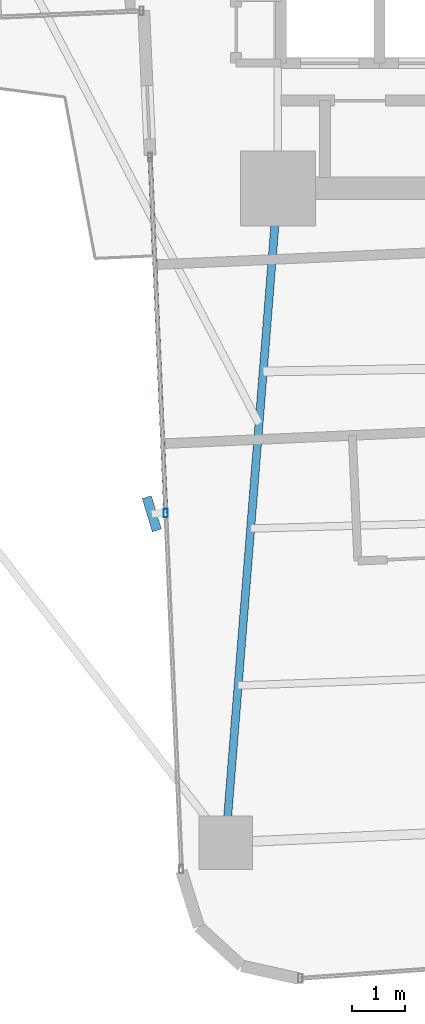
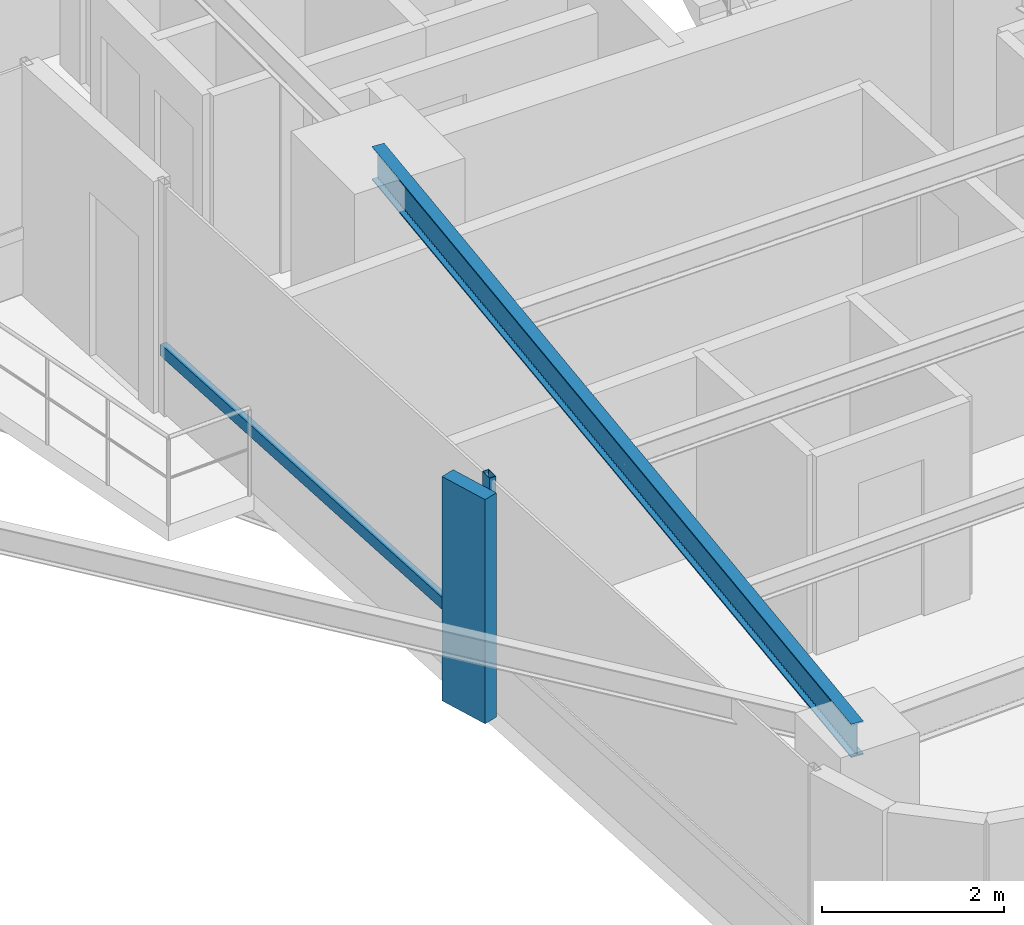
# One storey, part 4 of 26: 3 members, 1 beam, 1 element without a shape of its own.
"""IFC4 building model written with IfcOpenShell, lengths in metres."""

from ifc_helpers import new_model, si_unit, direction, frame, origin, origin_2d, place, context, subcontext, project, spatial, rectangle, hollow_rectangle, i_section, extrude, source, transform, mapped, material, material_profile, profile_set, type_object, element, aggregate, save


model = new_model("IFC4")

# Units and contexts
model_context = context("Model", 3, precision=1e-05, world=origin(), true_north=direction((0.0, 1.0)))
body_context = subcontext(model_context, "Body", "Model", "MODEL_VIEW")
ifc_project = project(units=[si_unit("LENGTHUNIT", "METRE"), si_unit("AREAUNIT", "SQUARE_METRE"), si_unit("VOLUMEUNIT", "CUBIC_METRE"), si_unit("PLANEANGLEUNIT", "RADIAN"), si_unit("MASSUNIT", "GRAM", prefix="KILO")], contexts=[model_context])

# Site, building, storey
site_placement = place(None, origin())
site = spatial("IfcSite", under=ifc_project, at=site_placement, CompositionType="ELEMENT")
building_placement = place(site_placement, origin())
building = spatial("IfcBuilding", under=site, at=building_placement, Name="Sahyath Konkavel Grand Hotel", CompositionType="ELEMENT")
storey_placement = place(building_placement, frame((0.0, 0.0, 118.14990234375)))
storey = spatial("IfcBuildingStorey", under=building, at=storey_placement, Name="L32", CompositionType="ELEMENT", Elevation=118.14990234375)

# Beam
ifc_material_1 = material(Name="Steel E350", Category="steel")
ifc_material_profile_1 = material_profile(ifc_material_1, i_section(OverallWidth=0.14990234375, OverallDepth=0.449951171875, WebThickness=0.009521484375, FlangeThickness=0.017333984375, FilletRadius=0.014892578125, at=origin_2d()), Name="ISMB 450")
ifc_profile_set_1 = profile_set([ifc_material_profile_1], Name="Steel E350")
beam_type = type_object("IfcBeamType", Name="BM-ISMB450", PredefinedType="BEAM", material=ifc_profile_set_1)
shared_shape_1 = source(origin(), body_context, "Body", "SweptSolid", [
    extrude(i_section(OverallWidth=0.14990234375, OverallDepth=0.449951171875, WebThickness=0.009521484375, FlangeThickness=0.017333984375, FilletRadius=0.014892578125, at=origin_2d()), origin(), (0.0, 0.0, 1.0), 12.2685546875),
])
beam_placement = place(storey_placement, frame((-3.800048828125, -10.199951171875, 2.885009765625), z_axis=(-0.079558563357, -0.996830193662, 0.0), x_axis=(0.996830193662, -0.079558563357, 0.0)))
element("IfcBeam", 1, at=beam_placement, inside=storey, type_object=beam_type, Name="L32 Cruciform Radial Girder SA", PredefinedType="BEAM", context=body_context, shape_type="MappedRepresentation", body=[
    mapped(shared_shape_1, transform((0.0, 0.0, 0.0), scale=1.0)),
])

# Curtain wall, members
ifc_material_2 = material(Name="Anodised Bronze Aluminium & Low-E Glazing", Category="aluminium")
curtain_wall_type = type_object("IfcCurtainWallType", Name="CW-ZONE2", PredefinedType="NOTDEFINED", material=ifc_material_2)
curtain_wall_placement = place(storey_placement, origin())
curtain_wall = element("IfcCurtainWall", 2, at=curtain_wall_placement, inside=storey, type_object=curtain_wall_type, Name="L32 Unitised Curtain Wall F24", PredefinedType="NOTDEFINED")
ifc_material_3 = material(Name="Warm Buff Sandstone Cladding on Concrete C50/60", Category="masonry")
ifc_material_profile_2 = material_profile(ifc_material_3, rectangle(XDim=0.179931640625, YDim=0.64990234375, at=origin_2d()), Name="FIN 180x650")
ifc_profile_set_2 = profile_set([ifc_material_profile_2], Name="Warm Buff Sandstone Cladding on Concrete C50/60")
member_type_1 = type_object("IfcMemberType", Name="FIN-SANDSTONE-650", PredefinedType="MULLION", material=ifc_profile_set_2)
shared_shape_2 = source(origin(), body_context, "Body", "SweptSolid", [
    extrude(rectangle(XDim=0.179931640625, YDim=0.64990234375, at=origin_2d()), origin(), (0.0, 0.0, 1.0), 3.010009765625),
])
member_1_placement = place(storey_placement, frame((-6.155517578125, -16.283935546875, 0.050048828125), z_axis=(0.0, 0.0, 1.0), x_axis=(0.957117481996, 0.289700061544, 0.0)))
member_1 = element("IfcMember", 3, at=member_1_placement, type_object=member_type_1, Name="L32 Sandstone Vertical Solar Fin FIN F24-1", PredefinedType="MULLION", context=body_context, shape_type="MappedRepresentation", body=[
    mapped(shared_shape_2, transform((0.0, 0.0, 0.0), scale=1.0)),
])
ifc_material_4 = material(Name="Anodised Bronze Aluminium", Category="aluminium")
ifc_material_profile_3 = material_profile(ifc_material_4, hollow_rectangle(XDim=0.080078125, YDim=0.159912109375, WallThickness=0.006103515625, at=origin_2d()), Name="RHS 160x80x6")
ifc_profile_set_3 = profile_set([ifc_material_profile_3], Name="Anodised Bronze Aluminium")
member_type_2 = type_object("IfcMemberType", Name="CW-MUL-160", PredefinedType="MULLION", material=ifc_profile_set_3)
shared_shape_3 = source(origin(), body_context, "Body", "SweptSolid", [
    extrude(hollow_rectangle(XDim=0.080078125, YDim=0.159912109375, WallThickness=0.006103515625, at=origin_2d()), origin(), (0.0, 0.0, 1.0), 3.110107421875),
])
member_2_placement = place(storey_placement, frame((-5.895751953125, -16.272705078125, 0.0), z_axis=(0.0, 0.0, 1.0), x_axis=(1.0, 0.0, 0.0)))
member_2 = element("IfcMember", 4, at=member_2_placement, type_object=member_type_2, Name="L32 Curtain Wall Mullion F24-1", PredefinedType="MULLION", context=body_context, shape_type="MappedRepresentation", body=[
    mapped(shared_shape_3, transform((0.0, 0.0, 0.0), scale=1.0)),
])
ifc_material_profile_4 = material_profile(ifc_material_4, hollow_rectangle(XDim=0.080078125, YDim=0.159912109375, WallThickness=0.006103515625, at=origin_2d()), Name="RHS 160x80x6")
ifc_profile_set_4 = profile_set([ifc_material_profile_4], Name="Anodised Bronze Aluminium")
member_type_3 = type_object("IfcMemberType", Name="CW-TRN-160", PredefinedType="USERDEFINED", material=ifc_profile_set_4)
shared_shape_4 = source(origin(), body_context, "Body", "SweptSolid", [
    extrude(hollow_rectangle(XDim=0.080078125, YDim=0.159912109375, WallThickness=0.006103515625, at=origin_2d()), origin(), (0.0, 0.0, 1.0), 6.66015625),
])
member_3_placement = place(storey_placement, frame((-6.186279296875, -9.618896484375, 0.85009765625), z_axis=(0.043621753165, -0.999048118286, 0.0), x_axis=(0.999048118286, 0.043621753165, 0.0)))
member_3 = element("IfcMember", 5, at=member_3_placement, type_object=member_type_3, Name="L32 Curtain Wall Transom F24-0-spandrel", ObjectType="TRANSOM", PredefinedType="USERDEFINED", context=body_context, shape_type="MappedRepresentation", body=[
    mapped(shared_shape_4, transform((0.0, 0.0, 0.0), scale=1.0)),
])
aggregate(curtain_wall, [member_2, member_1, member_3])

save(model, "model.ifc")
